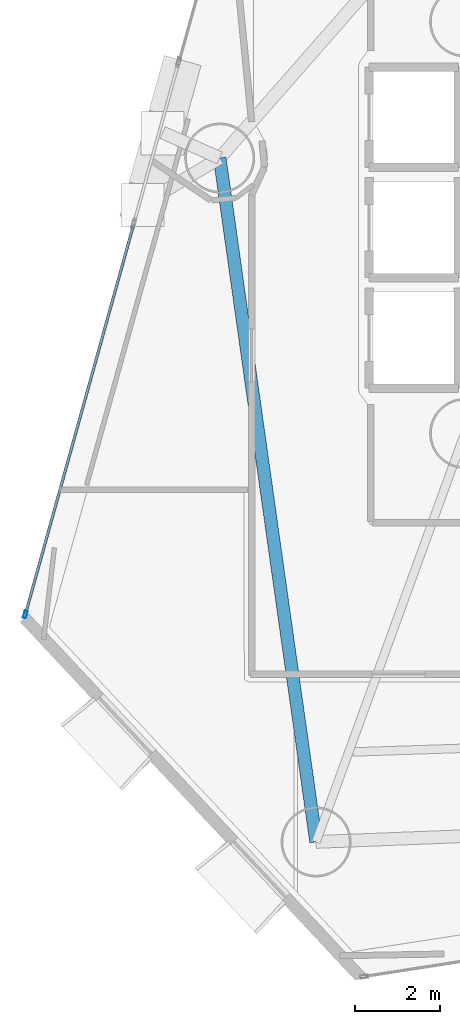
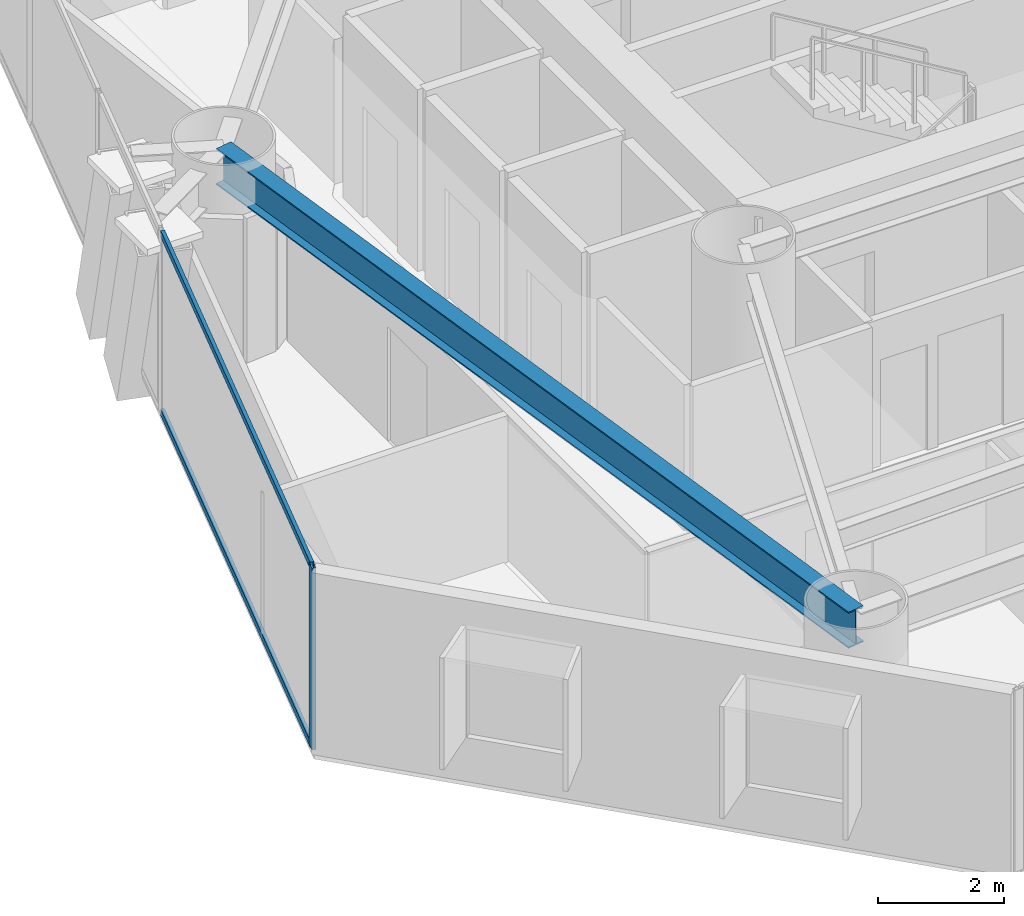
# One storey, part 4 of 23: 3 members, 1 beam, 1 element without a shape of its own.
"""IFC4 building model written with IfcOpenShell, lengths in metres."""

from ifc_helpers import new_model, si_unit, direction, frame, origin, origin_2d, place, context, subcontext, project, spatial, hollow_rectangle, i_section, extrude, material, layer, layer_set, material_profile, profile_set, type_object, element, aggregate, save


model = new_model("IFC4")

# Units and contexts
model_context = context("Model", 3, precision=1e-05, world=origin(), true_north=direction((0.0, 1.0)))
body_context = subcontext(model_context, "Body", "Model", "MODEL_VIEW")
ifc_project = project(units=[si_unit("LENGTHUNIT", "METRE"), si_unit("AREAUNIT", "SQUARE_METRE"), si_unit("VOLUMEUNIT", "CUBIC_METRE"), si_unit("PLANEANGLEUNIT", "RADIAN"), si_unit("MASSUNIT", "GRAM", prefix="KILO")], contexts=[model_context])

# Site, building, storey
site_placement = place(None, origin())
site = spatial("IfcSite", under=ifc_project, at=site_placement, CompositionType="ELEMENT")
building_placement = place(site_placement, origin())
building = spatial("IfcBuilding", under=site, at=building_placement, Name="Qianvela Tower", CompositionType="ELEMENT")
storey_placement = place(building_placement, frame((0.0, 0.0, 78.39990234375)))
storey = spatial("IfcBuildingStorey", under=building, at=storey_placement, Name="L19", CompositionType="ELEMENT", Elevation=78.39990234375)

# Beam
ifc_material_1 = material(Name="Steel Q355B", Category="steel")
ifc_material_profile_1 = material_profile(ifc_material_1, i_section(OverallWidth=0.300048828125, OverallDepth=0.699951171875, WebThickness=0.012939453125, FlangeThickness=0.02392578125, at=origin_2d()), Name="HN700x300x13x24")
ifc_profile_set_1 = profile_set([ifc_material_profile_1], Name="Steel Q355B")
beam_type = type_object("IfcBeamType", Name="BM-HN700-SPAND", PredefinedType="SPANDREL", material=ifc_profile_set_1)
beam_placement = place(storey_placement, frame((22.8291015625, 30.340087890625, 3.168212890625), z_axis=(0.139545592864, -0.990215646974, 0.0), x_axis=(0.990215646974, 0.139545592864, 0.0)))
element("IfcBeam", 1, at=beam_placement, inside=storey, type_object=beam_type, Name="L19 Perimeter Ring Spandrel Girder 4", PredefinedType="SPANDREL", context=body_context, shape_type="SweptSolid", body=[
    extrude(i_section(OverallWidth=0.300048828125, OverallDepth=0.699951171875, WebThickness=0.012939453125, FlangeThickness=0.02392578125, at=origin_2d()), origin(), (0.0, 0.0, 1.0), 16.274169921875),
])

# Curtain wall, members
ifc_material_2 = material(Name="Anodised Architectural Aluminium and Low-E Glass", Category="aluminium")
ifc_layer = layer(ifc_material_2, 0.179931640625)
ifc_layer_set = layer_set([ifc_layer], Name="Anodised Architectural Aluminium and Low-E Glass")
curtain_wall_type = type_object("IfcCurtainWallType", Name="CW-COLIV-Z12", PredefinedType="USERDEFINED", material=ifc_layer_set)
curtain_wall_placement = place(storey_placement, origin())
curtain_wall = element("IfcCurtainWall", 2, at=curtain_wall_placement, inside=storey, type_object=curtain_wall_type, Name="L19 CW-COLIV-Z12 Curtain Wall 04C", ObjectType="CURTAIN_WALL_SYSTEM", PredefinedType="USERDEFINED")
ifc_material_3 = material(Name="Anodised Architectural Aluminium 6063-T6", Category="aluminium")
ifc_material_profile_2 = material_profile(ifc_material_3, hollow_rectangle(XDim=0.070068359375, YDim=0.179931640625, WallThickness=0.0048828125, at=origin_2d()), Name="ALU-MULL-70x180")
ifc_profile_set_2 = profile_set([ifc_material_profile_2], Name="Anodised Architectural Aluminium 6063-T6")
member_type_1 = type_object("IfcMemberType", Name="CW-COLIV-Z12-MULL", PredefinedType="MULLION", material=ifc_profile_set_2)
member_1_placement = place(storey_placement, frame((18.248291015625, 19.5869140625, 0.0), z_axis=(0.0, 0.0, 1.0), x_axis=(0.96353758396, -0.2675730261, 0.0)))
member_1 = element("IfcMember", 3, at=member_1_placement, type_object=member_type_1, Name="CW-3 mullion 2", PredefinedType="MULLION", context=body_context, shape_type="SweptSolid", body=[
    extrude(hollow_rectangle(XDim=0.070068359375, YDim=0.179931640625, WallThickness=0.0048828125, at=origin_2d()), origin(), (0.0, 0.0, 1.0), 3.52001953125),
])
ifc_material_4 = material(Name="Anodised Architectural Aluminium 6063-T6", Category="aluminium")
ifc_material_profile_3 = material_profile(ifc_material_4, hollow_rectangle(XDim=0.06494140625, YDim=0.1298828125, WallThickness=0.00439453125, at=origin_2d()), Name="ALU-TRAN-65x130")
ifc_profile_set_3 = profile_set([ifc_material_profile_3], Name="Anodised Architectural Aluminium 6063-T6")
member_type_2 = type_object("IfcMemberType", Name="CW-COLIV-Z12-TRAN", PredefinedType="USERDEFINED", material=ifc_profile_set_3)
member_2_placement = place(storey_placement, frame((20.791748046875, 28.746337890625, 0.03271484375), z_axis=(-0.267553453738, -0.963543018963, 0.0), x_axis=(0.963543018963, -0.267553453738, 0.0)))
member_2 = element("IfcMember", 4, at=member_2_placement, type_object=member_type_2, Name="CW-3 transom 1.1", ObjectType="TRANSOM", PredefinedType="USERDEFINED", context=body_context, shape_type="SweptSolid", body=[
    extrude(hollow_rectangle(XDim=0.06494140625, YDim=0.1298828125, WallThickness=0.00439453125, at=origin_2d()), origin(), (0.0, 0.0, 1.0), 9.470703125),
])
member_3_placement = place(storey_placement, frame((20.791748046875, 28.746337890625, 3.487548828125), z_axis=(-0.267553453738, -0.963543018963, 0.0), x_axis=(0.963543018963, -0.267553453738, 0.0)))
member_3 = element("IfcMember", 5, at=member_3_placement, type_object=member_type_2, Name="CW-3 transom 1.2", ObjectType="TRANSOM", PredefinedType="USERDEFINED", context=body_context, shape_type="SweptSolid", body=[
    extrude(hollow_rectangle(XDim=0.06494140625, YDim=0.1298828125, WallThickness=0.00439453125, at=origin_2d()), origin(), (0.0, 0.0, 1.0), 9.470703125),
])
aggregate(curtain_wall, [member_1, member_2, member_3])

save(model, "model.ifc")
